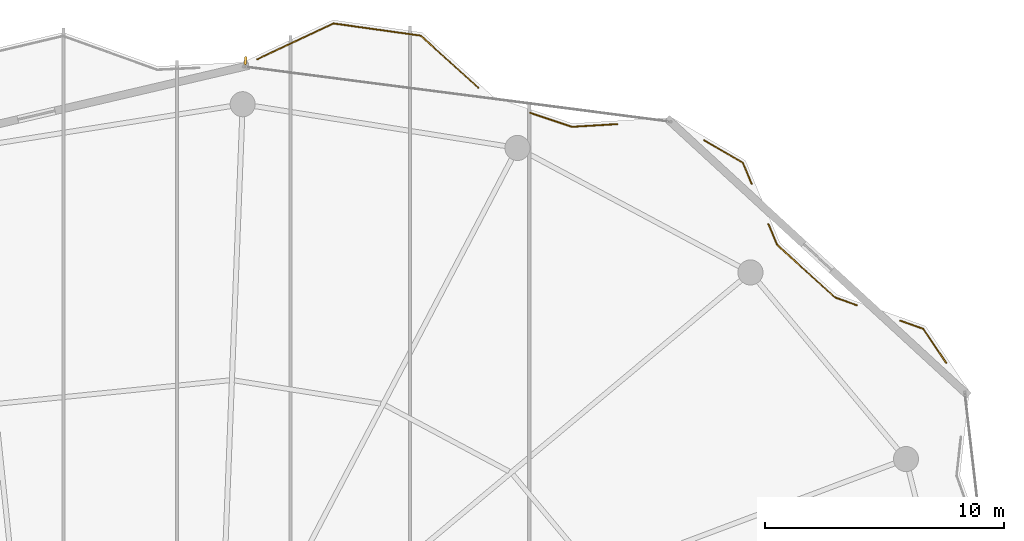
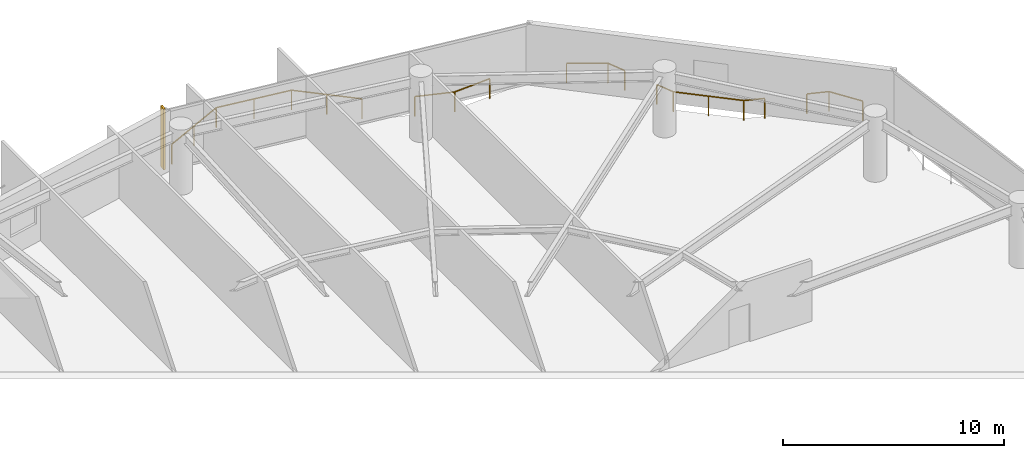
# One storey, part 30 of 30: 5 railings, 1 shading device.
"""IFC4 building model written with IfcOpenShell, lengths in metres."""

from ifc_helpers import new_model, si_unit, direction, frame, origin, origin_2d, place, context, subcontext, project, spatial, rectangle, extrude, material, type_object, element, save


model = new_model("IFC4")

# Units and contexts
model_context = context("Model", 3, precision=1e-05, world=origin(), true_north=direction((0.0, 1.0)))
body_context = subcontext(model_context, "Body", "Model", "MODEL_VIEW")
ifc_project = project(units=[si_unit("LENGTHUNIT", "METRE"), si_unit("AREAUNIT", "SQUARE_METRE"), si_unit("VOLUMEUNIT", "CUBIC_METRE"), si_unit("PLANEANGLEUNIT", "RADIAN"), si_unit("MASSUNIT", "GRAM", prefix="KILO")], contexts=[model_context])

# Site, building, storey
site_placement = place(None, origin())
site = spatial("IfcSite", under=ifc_project, at=site_placement, CompositionType="ELEMENT")
building_placement = place(site_placement, origin())
building = spatial("IfcBuilding", under=site, at=building_placement, Name="Kazevale Care Tower and Concert Hall", CompositionType="ELEMENT")
storey_placement = place(building_placement, frame((0.0, 0.0, 242.39990234375)))
storey = spatial("IfcBuildingStorey", under=building, at=storey_placement, Name="L64", CompositionType="ELEMENT", Elevation=242.39990234375)

# Railings
ifc_material_1 = material(Name="Anodised Bronze Aluminium and Laminated Glass", Category="aluminium")
railing_type = type_object("IfcRailingType", Name="Balcony and Terrace Balustrade 1120", PredefinedType="BALUSTRADE", material=ifc_material_1)
railing_1_placement = place(storey_placement, frame((45.610107421875, 63.931884765625, 0.0)))
element("IfcRailing", 1, at=railing_1_placement, inside=storey, type_object=railing_type, Name="rail:L64:perim:6", PredefinedType="BALUSTRADE", context=body_context, shape_type="SweptSolid", body=[
    extrude(rectangle(XDim=0.048095703125, YDim=0.048095703125, at=origin_2d()), frame((0.0, 0.0, 1.09619140625), z_axis=(0.905100997077, 0.42519664285, 0.0), x_axis=(-0.42519664285, 0.905100997077, 0.0)), (0.0, 0.0, 1.0), 3.525390625),
    extrude(rectangle(XDim=0.048095703125, YDim=0.048095703125, at=origin_2d()), frame((3.19091796875, 1.4990234375, 1.09619140625), z_axis=(0.990362854901, -0.138496987809, 0.0), x_axis=(0.138496987809, 0.990362854901, 0.0)), (0.0, 0.0, 1.0), 3.682373046875),
    extrude(rectangle(XDim=0.048095703125, YDim=0.048095703125, at=origin_2d()), frame((6.837890625, 0.989013671875, 1.09619140625), z_axis=(0.74237767764, -0.669981629407, 0.0), x_axis=(0.669981629407, 0.74237767764, 0.0)), (0.0, 0.0, 1.0), 3.260986328125),
    extrude(rectangle(XDim=0.0419921875, YDim=0.0419921875, at=origin_2d()), origin(), (0.0, 0.0, 1.0), 1.072021484375),
    extrude(rectangle(XDim=0.0419921875, YDim=0.0419921875, at=origin_2d()), frame((1.595458984375, 0.74951171875, 0.0)), (0.0, 0.0, 1.0), 1.072021484375),
    extrude(rectangle(XDim=0.0419921875, YDim=0.0419921875, at=origin_2d()), frame((3.19091796875, 1.4990234375, 0.0)), (0.0, 0.0, 1.0), 1.072021484375),
    extrude(rectangle(XDim=0.0419921875, YDim=0.0419921875, at=origin_2d()), frame((5.014404296875, 1.244140625, 0.0)), (0.0, 0.0, 1.0), 1.072021484375),
    extrude(rectangle(XDim=0.0419921875, YDim=0.0419921875, at=origin_2d()), frame((6.837890625, 0.989013671875, 0.0)), (0.0, 0.0, 1.0), 1.072021484375),
    extrude(rectangle(XDim=0.0419921875, YDim=0.0419921875, at=origin_2d()), frame((8.04833984375, -0.103515625, 0.0)), (0.0, 0.0, 1.0), 1.072021484375),
    extrude(rectangle(XDim=0.0419921875, YDim=0.0419921875, at=origin_2d()), frame((9.2587890625, -1.19580078125, 0.0)), (0.0, 0.0, 1.0), 1.072021484375),
])
railing_2_placement = place(storey_placement, frame((57.032958984375, 61.68994140625, 0.0)))
element("IfcRailing", 2, at=railing_2_placement, inside=storey, type_object=railing_type, Name="rail:L64:perim:7", PredefinedType="BALUSTRADE", context=body_context, shape_type="SweptSolid", body=[
    extrude(rectangle(XDim=0.048095703125, YDim=0.048095703125, at=origin_2d()), frame((0.0, 0.0, 1.09619140625), z_axis=(0.948045105832, -0.318135941554, 0.0), x_axis=(0.318135941554, 0.948045105832, 0.0)), (0.0, 0.0, 1.0), 1.841796875),
    extrude(rectangle(XDim=0.048095703125, YDim=0.048095703125, at=origin_2d()), frame((1.74609375, -0.5859375, 1.09619140625), z_axis=(0.998181354811, 0.060282525723, 0.0), x_axis=(-0.060282525723, 0.998181354811, 0.0)), (0.0, 0.0, 1.0), 1.907470703125),
    extrude(rectangle(XDim=0.0419921875, YDim=0.0419921875, at=origin_2d()), origin(), (0.0, 0.0, 1.0), 1.072021484375),
    extrude(rectangle(XDim=0.0419921875, YDim=0.0419921875, at=origin_2d()), frame((1.74609375, -0.5859375, 0.0)), (0.0, 0.0, 1.0), 1.072021484375),
    extrude(rectangle(XDim=0.0419921875, YDim=0.0419921875, at=origin_2d()), frame((3.650146484375, -0.470947265625, 0.0)), (0.0, 0.0, 1.0), 1.072021484375),
])
railing_3_placement = place(storey_placement, frame((64.31298828125, 60.54296875, 0.0)))
element("IfcRailing", 3, at=railing_3_placement, inside=storey, type_object=railing_type, Name="rail:L64:perim:8", PredefinedType="BALUSTRADE", context=body_context, shape_type="SweptSolid", body=[
    extrude(rectangle(XDim=0.048095703125, YDim=0.048095703125, at=origin_2d()), frame((0.0, 0.0, 1.09619140625), z_axis=(0.863897008105, -0.503668501483, 0.0), x_axis=(0.503668501483, 0.863897008105, 0.0)), (0.0, 0.0, 1.0), 1.8740234375),
    extrude(rectangle(XDim=0.048095703125, YDim=0.048095703125, at=origin_2d()), frame((1.618896484375, -0.94384765625, 1.09619140625), z_axis=(0.384958845263, -0.922933739471, 0.0), x_axis=(0.922933739471, 0.384958845263, 0.0)), (0.0, 0.0, 1.0), 0.958984375),
    extrude(rectangle(XDim=0.0419921875, YDim=0.0419921875, at=origin_2d()), origin(), (0.0, 0.0, 1.0), 1.072021484375),
    extrude(rectangle(XDim=0.0419921875, YDim=0.0419921875, at=origin_2d()), frame((1.618896484375, -0.94384765625, 0.0)), (0.0, 0.0, 1.0), 1.072021484375),
    extrude(rectangle(XDim=0.0419921875, YDim=0.0419921875, at=origin_2d()), frame((1.988037109375, -1.828857421875, 0.0)), (0.0, 0.0, 1.0), 1.072021484375),
])
railing_4_placement = place(storey_placement, frame((67.0029296875, 57.037109375, 0.0)))
element("IfcRailing", 4, at=railing_4_placement, inside=storey, type_object=railing_type, Name="rail:L64:perim:9", PredefinedType="BALUSTRADE", context=body_context, shape_type="SweptSolid", body=[
    extrude(rectangle(XDim=0.048095703125, YDim=0.048095703125, at=origin_2d()), frame((0.0, 0.0, 1.09619140625), z_axis=(0.385400252226, -0.922749503161, 0.0), x_axis=(0.922749503161, 0.385400252226, 0.0)), (0.0, 0.0, 1.0), 0.949462890625),
    extrude(rectangle(XDim=0.048095703125, YDim=0.048095703125, at=origin_2d()), frame((0.365966796875, -0.876220703125, 1.09619140625), z_axis=(0.740453598396, -0.672107482939, 0.0), x_axis=(0.672107482939, 0.740453598396, 0.0)), (0.0, 0.0, 1.0), 3.2685546875),
    extrude(rectangle(XDim=0.048095703125, YDim=0.048095703125, at=origin_2d()), frame((2.7861328125, -3.072998046875, 1.09619140625), z_axis=(0.941931266787, -0.33580573052, 0.0), x_axis=(0.33580573052, 0.941931266787, 0.0)), (0.0, 0.0, 1.0), 0.9619140625),
    extrude(rectangle(XDim=0.0419921875, YDim=0.0419921875, at=origin_2d()), origin(), (0.0, 0.0, 1.0), 1.072021484375),
    extrude(rectangle(XDim=0.0419921875, YDim=0.0419921875, at=origin_2d()), frame((0.365966796875, -0.876220703125, 0.0)), (0.0, 0.0, 1.0), 1.072021484375),
    extrude(rectangle(XDim=0.0419921875, YDim=0.0419921875, at=origin_2d()), frame((1.576171875, -1.974609375, 0.0)), (0.0, 0.0, 1.0), 1.072021484375),
    extrude(rectangle(XDim=0.0419921875, YDim=0.0419921875, at=origin_2d()), frame((2.7861328125, -3.072998046875, 0.0)), (0.0, 0.0, 1.0), 1.072021484375),
    extrude(rectangle(XDim=0.0419921875, YDim=0.0419921875, at=origin_2d()), frame((3.692138671875, -3.39599609375, 0.0)), (0.0, 0.0, 1.0), 1.072021484375),
])
railing_5_placement = place(storey_placement, frame((72.527099609375, 52.989013671875, 0.0)))
element("IfcRailing", 5, at=railing_5_placement, inside=storey, type_object=railing_type, Name="rail:L64:perim:10", PredefinedType="BALUSTRADE", context=body_context, shape_type="SweptSolid", body=[
    extrude(rectangle(XDim=0.048095703125, YDim=0.048095703125, at=origin_2d()), frame((0.0, 0.0, 1.09619140625), z_axis=(0.941882879888, -0.335941424319, 0.0), x_axis=(0.335941424319, 0.941882879888, 0.0)), (0.0, 0.0, 1.0), 1.01806640625),
    extrude(rectangle(XDim=0.048095703125, YDim=0.048095703125, at=origin_2d()), frame((0.958984375, -0.342041015625, 1.09619140625), z_axis=(0.558028145129, -0.829822022631, 0.0), x_axis=(0.829822022631, 0.558028145129, 0.0)), (0.0, 0.0, 1.0), 1.70751953125),
    extrude(rectangle(XDim=0.0419921875, YDim=0.0419921875, at=origin_2d()), origin(), (0.0, 0.0, 1.0), 1.072021484375),
    extrude(rectangle(XDim=0.0419921875, YDim=0.0419921875, at=origin_2d()), frame((0.958984375, -0.342041015625, 0.0)), (0.0, 0.0, 1.0), 1.072021484375),
    extrude(rectangle(XDim=0.0419921875, YDim=0.0419921875, at=origin_2d()), frame((1.911865234375, -1.759033203125, 0.0)), (0.0, 0.0, 1.0), 1.072021484375),
])

# Shading device
ifc_material_2 = material(Name="Anodised Bronze Aluminium", Category="aluminium")
shading_device_type = type_object("IfcShadingDeviceType", Name="Waist Anodised Bronze-Stone Fin FIN-02", PredefinedType="USERDEFINED", material=ifc_material_2)
shading_device_placement = place(storey_placement, frame((45.116455078125, 63.870849609375, 0.0), z_axis=(0.0, 0.0, 1.0), x_axis=(0.128103248172, 0.991760837, 0.0)))
element("IfcShadingDevice", 6, at=shading_device_placement, inside=storey, type_object=shading_device_type, Name="cw:L64:f16:fin", ObjectType="FIN", PredefinedType="USERDEFINED", context=body_context, shape_type="SweptSolid", body=[
    extrude(rectangle(XDim=0.340087890625, YDim=0.10009765625, at=origin_2d()), origin(), (0.0, 0.0, 1.0), 3.360107421875),
])

save(model, "model.ifc")
